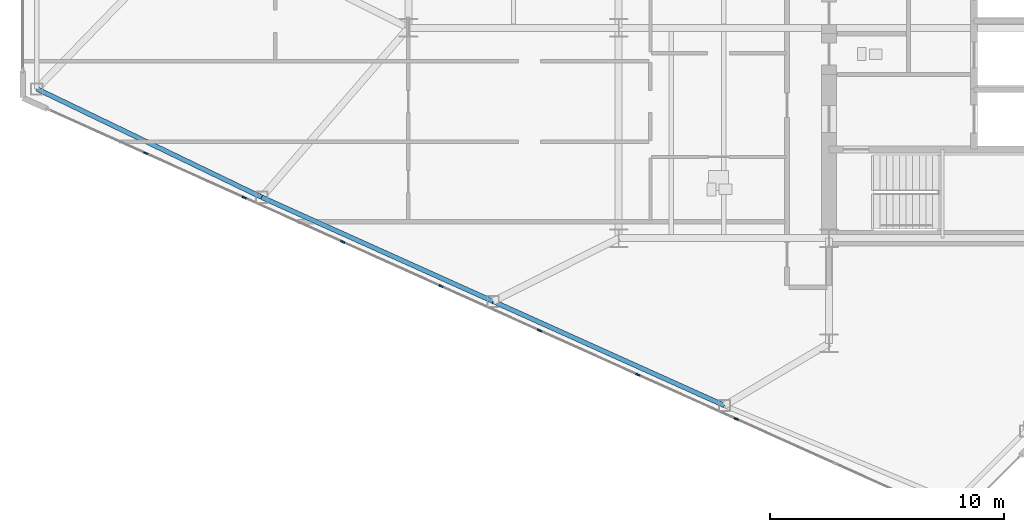
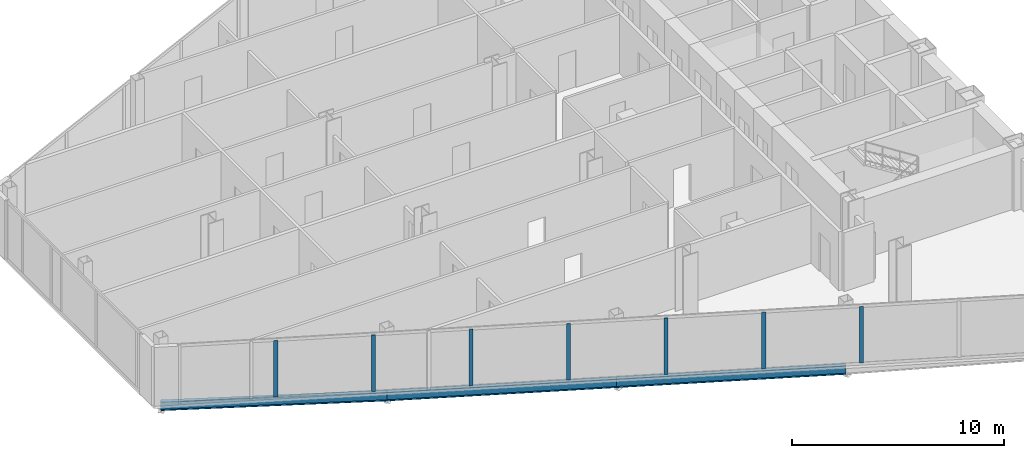
# One storey, part 3 of 27: 7 members, 3 beams, 1 element without a shape of its own.
"""IFC4 building model written with IfcOpenShell, lengths in metres."""

from ifc_helpers import new_model, si_unit, direction, frame, origin, origin_2d, place, context, subcontext, project, spatial, rectangle, i_section, extrude, source, transform, mapped, material, layer, layer_set, material_profile, profile_set, type_object, type_shapes, element, aggregate, save


model = new_model("IFC4")

# Units and contexts
model_context = context("Model", 3, precision=1e-05, world=origin(), true_north=direction((0.0, 1.0)))
body_context = subcontext(model_context, "Body", "Model", "MODEL_VIEW")
ifc_project = project(units=[si_unit("LENGTHUNIT", "METRE"), si_unit("AREAUNIT", "SQUARE_METRE"), si_unit("VOLUMEUNIT", "CUBIC_METRE"), si_unit("PLANEANGLEUNIT", "RADIAN"), si_unit("MASSUNIT", "GRAM", prefix="KILO")], contexts=[model_context])

# Site, building, storey
site_placement = place(None, origin())
site = spatial("IfcSite", under=ifc_project, at=site_placement, CompositionType="ELEMENT")
building_placement = place(site_placement, origin())
building = spatial("IfcBuilding", under=site, at=building_placement, Name="Seokmaru Belvedere", CompositionType="ELEMENT")
storey_placement = place(building_placement, frame((0.0, 0.0, 99.60009765625)))
storey = spatial("IfcBuildingStorey", under=building, at=storey_placement, Name="L26", CompositionType="ELEMENT", Elevation=99.60009765625)

# Beams
ifc_material_1 = material(Name="Steel SM355 (355 MPa)", Category="steel")
ifc_material_profile_1 = material_profile(ifc_material_1, i_section(OverallWidth=0.199951171875, OverallDepth=0.5, WebThickness=0.010009765625, FlangeThickness=0.01611328125, at=origin_2d()), Name="H-500x200x10x16")
ifc_profile_set_1 = profile_set([ifc_material_profile_1], Name="Steel SM355 (355 MPa)")
beam_type = type_object("IfcBeamType", Name="Perimeter Spandrel Beam H-500", PredefinedType="SPANDREL", material=ifc_profile_set_1)
shared_shape_1 = source(origin(), body_context, "Body", "SweptSolid", [
    extrude(i_section(OverallWidth=0.199951171875, OverallDepth=0.5, WebThickness=0.010009765625, FlangeThickness=0.01611328125, at=origin_2d()), origin(), (0.0, 0.0, 1.0), 10.85888671875),
])
for number, where, z_axis, x_axis, name in (
    (1, (-40.97265625, -20.661376953125, -0.47021484375), (-0.911921505175, 0.410364677329, 0.0), (-0.410364677329, -0.911921505175, 0.0), "L26 W Faceted Flank Spandrel S-2"),
    (2, (-50.875, -16.205322265625, -0.47021484375), (-0.911925291223, 0.410356263785, 0.0), (-0.410356263785, -0.911925291223, 0.0), "L26 W Faceted Flank Spandrel S-3"),
):
    element("IfcBeam", number, at=place(storey_placement, frame(where, z_axis=z_axis, x_axis=x_axis)), inside=storey, type_object=beam_type, Name=name, PredefinedType="SPANDREL", context=body_context, shape_type="MappedRepresentation", body=[
        mapped(shared_shape_1, transform((0.0, 0.0, 0.0), scale=1.0)),
    ])
shared_shape_2 = source(origin(), body_context, "Body", "SweptSolid", [
    extrude(i_section(OverallWidth=0.199951171875, OverallDepth=0.5, WebThickness=0.010009765625, FlangeThickness=0.01611328125, at=origin_2d()), origin(), (0.0, 0.0, 1.0), 10.681396484375),
])
type_shapes(beam_type, [shared_shape_1, shared_shape_2])
beam_placement = place(storey_placement, frame((-60.777587890625, -11.749267578125, -0.47021484375), z_axis=(-0.900846426616, 0.434137899352, 0.0), x_axis=(-0.434137899352, -0.900846426616, 0.0)))
element("IfcBeam", 3, at=beam_placement, inside=storey, type_object=beam_type, Name="L26 W Faceted Flank Spandrel S-4", PredefinedType="SPANDREL", context=body_context, shape_type="MappedRepresentation", body=[
    mapped(shared_shape_2, transform((0.0, 0.0, 0.0), scale=1.0)),
])

# Curtain wall, members
ifc_material_2 = material(Name="Bronze Triple Insulating Glass", Category="glass")
ifc_layer = layer(ifc_material_2, 0.195068359375)
ifc_layer_set = layer_set([ifc_layer], Name="Bronze Triple Insulating Glass")
curtain_wall_type = type_object("IfcCurtainWallType", Name="Lower-Mid Tapered Curtain Wall System CW-3", PredefinedType="NOTDEFINED", material=ifc_layer_set)
curtain_wall_placement = place(storey_placement, origin())
curtain_wall = element("IfcCurtainWall", 4, at=curtain_wall_placement, inside=storey, type_object=curtain_wall_type, Name="L26 Curtain Wall WF5", PredefinedType="NOTDEFINED")
ifc_material_3 = material(Name="Anodised Bronze Aluminium", Category="aluminium")
ifc_material_profile_2 = material_profile(ifc_material_3, rectangle(XDim=0.070068359375, YDim=0.195068359375, at=origin_2d()), Name="CW-M-70x195")
ifc_profile_set_2 = profile_set([ifc_material_profile_2], Name="Anodised Bronze Aluminium")
member_type = type_object("IfcMemberType", Name="Bronze Unitised Mullion 70x195", PredefinedType="MULLION", material=ifc_profile_set_2)
shared_shape_3 = source(origin(), body_context, "Body", "SweptSolid", [
    extrude(rectangle(XDim=0.070068359375, YDim=0.195068359375, at=origin_2d()), origin(), (0.0, 0.0, 1.0), 3.239990234375),
])
type_shapes(member_type, [shared_shape_3])
member_1_placement = place(storey_placement, frame((-65.739990234375, -9.866943359375, 0.06982421875), z_axis=(0.0, 0.0, 1.0), x_axis=(0.41036554765, 0.91192111353, 0.0)))
member_1 = element("IfcMember", 5, at=member_1_placement, type_object=member_type, Name="CW:L26:WF5 Mullion 2", PredefinedType="MULLION", context=body_context, shape_type="MappedRepresentation", body=[
    mapped(shared_shape_3, transform((0.0, 0.0, 0.0), scale=1.0)),
])
member_2_placement = place(storey_placement, frame((-61.528564453125, -11.76220703125, 0.06982421875), z_axis=(0.0, 0.0, 1.0), x_axis=(0.41036554765, 0.91192111353, 0.0)))
member_2 = element("IfcMember", 6, at=member_2_placement, type_object=member_type, Name="CW:L26:WF5 Mullion 3", PredefinedType="MULLION", context=body_context, shape_type="MappedRepresentation", body=[
    mapped(shared_shape_3, transform((0.0, 0.0, 0.0), scale=1.0)),
])
member_3_placement = place(storey_placement, frame((-57.317138671875, -13.6572265625, 0.06982421875), z_axis=(0.0, 0.0, 1.0), x_axis=(0.41036554765, 0.91192111353, 0.0)))
member_3 = element("IfcMember", 7, at=member_3_placement, type_object=member_type, Name="CW:L26:WF5 Mullion 4", PredefinedType="MULLION", context=body_context, shape_type="MappedRepresentation", body=[
    mapped(shared_shape_3, transform((0.0, 0.0, 0.0), scale=1.0)),
])
member_4_placement = place(storey_placement, frame((-53.105712890625, -15.552490234375, 0.06982421875), z_axis=(0.0, 0.0, 1.0), x_axis=(0.41036554765, 0.91192111353, 0.0)))
member_4 = element("IfcMember", 8, at=member_4_placement, type_object=member_type, Name="CW:L26:WF5 Mullion 5", PredefinedType="MULLION", context=body_context, shape_type="MappedRepresentation", body=[
    mapped(shared_shape_3, transform((0.0, 0.0, 0.0), scale=1.0)),
])
member_5_placement = place(storey_placement, frame((-48.894287109375, -17.447509765625, 0.06982421875), z_axis=(0.0, 0.0, 1.0), x_axis=(0.41036554765, 0.91192111353, 0.0)))
member_5 = element("IfcMember", 9, at=member_5_placement, type_object=member_type, Name="CW:L26:WF5 Mullion 6", PredefinedType="MULLION", context=body_context, shape_type="MappedRepresentation", body=[
    mapped(shared_shape_3, transform((0.0, 0.0, 0.0), scale=1.0)),
])
member_6_placement = place(storey_placement, frame((-44.682861328125, -19.3427734375, 0.06982421875), z_axis=(0.0, 0.0, 1.0), x_axis=(0.41036554765, 0.91192111353, 0.0)))
member_6 = element("IfcMember", 10, at=member_6_placement, type_object=member_type, Name="CW:L26:WF5 Mullion 7", PredefinedType="MULLION", context=body_context, shape_type="MappedRepresentation", body=[
    mapped(shared_shape_3, transform((0.0, 0.0, 0.0), scale=1.0)),
])
member_7_placement = place(storey_placement, frame((-40.471435546875, -21.23779296875, 0.06982421875), z_axis=(0.0, 0.0, 1.0), x_axis=(0.41036554765, 0.91192111353, 0.0)))
member_7 = element("IfcMember", 11, at=member_7_placement, type_object=member_type, Name="CW:L26:WF5 Mullion 8", PredefinedType="MULLION", context=body_context, shape_type="MappedRepresentation", body=[
    mapped(shared_shape_3, transform((0.0, 0.0, 0.0), scale=1.0)),
])
aggregate(curtain_wall, [member_1, member_2, member_3, member_4, member_5, member_6, member_7])

save(model, "model.ifc")
